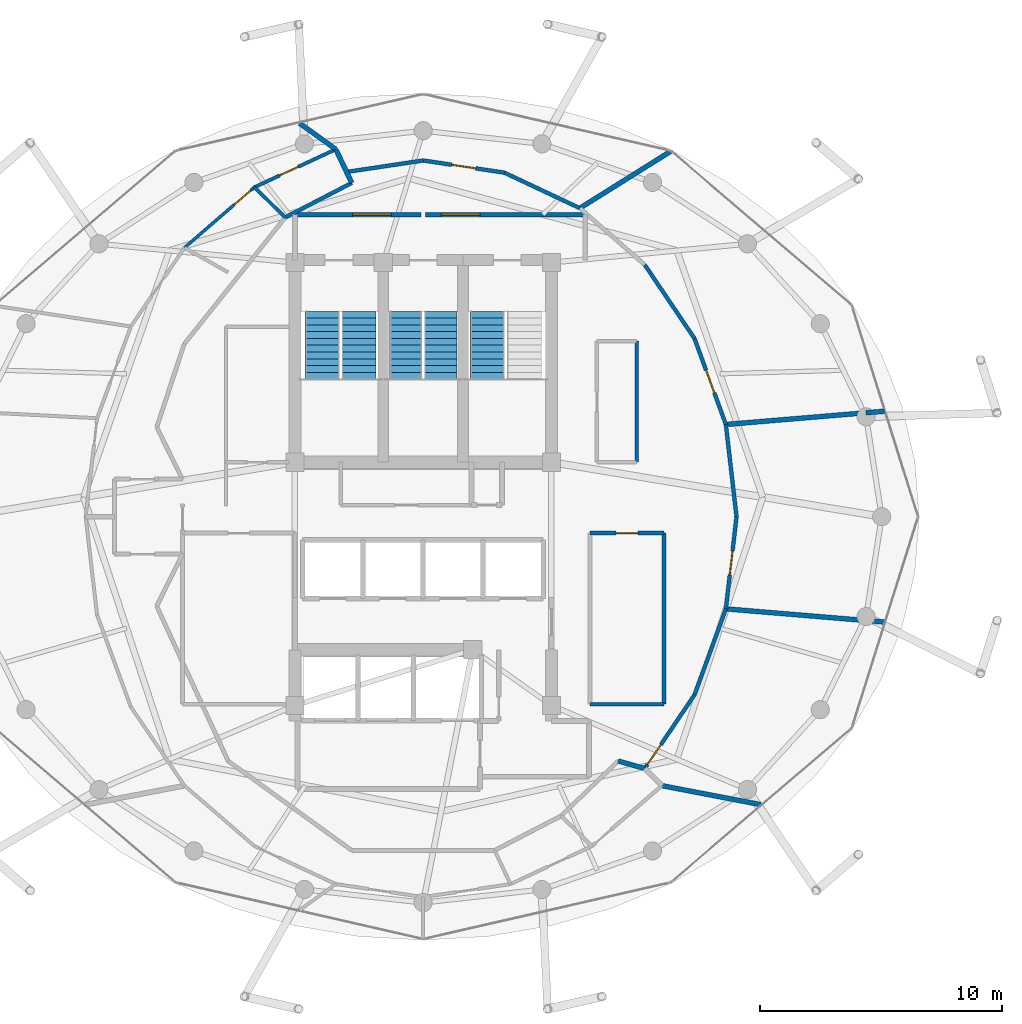
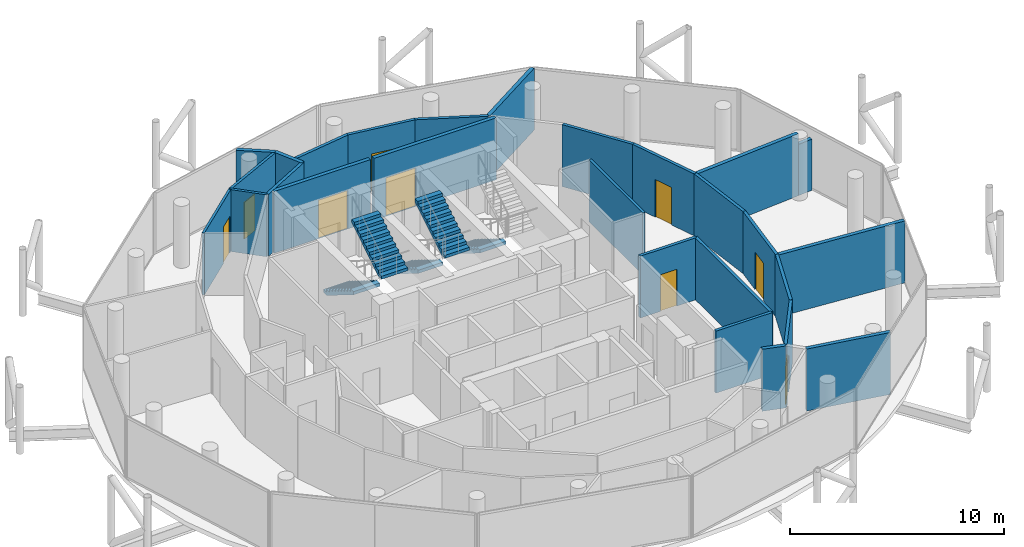
# One storey, part 22 of 24: 27 walls, 9 doors, 5 stair flights, 9 openings, 3 elements without a shape of their own.
"""IFC4 building model written with IfcOpenShell, lengths in metres."""

import ifcopenshell
import ifcopenshell.guid

model = None  # the IFC model being written
_history = None  # IfcOwnerHistory: only IFC2X3 demands one
_inside = {}  # id of a spatial element -> (the spatial element, [elements in it])
_under = {}  # id of a project, library or spatial element -> (it, [spatial elements below it])
_declared = {}  # id of a project -> (the project, [libraries it declares])
_typed = {}  # id of a type object -> (the type object, [elements of that type])
_made_of = {}  # id of a material, layer set ... -> (it, [elements and type objects made of it])


def new_model(schema):
    """Start an empty IFC model of exactly this schema.

    Asked for "IFC4X3", IfcOpenShell would pick the latest addendum, in which some entities
    have other attributes; the version numbers below select the first issue.
    IFC2X3 requires an IfcOwnerHistory on every rooted entity: one is made here for all.
    """
    global model, _history
    if schema == "IFC4X3":
        model = ifcopenshell.file(schema_version=(4, 3, 0, 0))
    else:
        model = ifcopenshell.file(schema=schema)
    _inside.clear()
    _under.clear()
    _declared.clear()
    _typed.clear()
    _made_of.clear()
    _history = None
    if model.schema == "IFC2X3":
        org = make("IfcOrganization", Name="unknown")
        user = make(
            "IfcPersonAndOrganization",
            ThePerson=make("IfcPerson", FamilyName="unknown"),
            TheOrganization=org,
        )
        app = make(
            "IfcApplication",
            ApplicationDeveloper=org,
            Version="unknown",
            ApplicationFullName="unknown",
            ApplicationIdentifier="unknown",
        )
        _history = make(
            "IfcOwnerHistory",
            OwningUser=user,
            OwningApplication=app,
            ChangeAction="ADDED",
            CreationDate=0,
        )
    return model


def make(cls, **values):
    """One entity of the class cls with the attributes given. An attribute that is None is left unset."""
    return model.create_entity(
        cls, **{name: value for name, value in values.items() if value is not None}
    )


def rooted(cls, **values):
    """An entity with a GlobalId (a new one), such as an element, a storey or a relation."""
    return make(cls, GlobalId=ifcopenshell.guid.new(), OwnerHistory=_history, **values)


def si_unit(unit_type, name, prefix=None):
    """IfcSIUnit, for example si_unit("LENGTHUNIT", "METRE", prefix="MILLI")."""
    return make("IfcSIUnit", UnitType=unit_type, Prefix=prefix, Name=name)


def assignment(units):
    """IfcUnitAssignment: the units of a project."""
    return None if units is None else make("IfcUnitAssignment", Units=units)


def point(xyz):
    """IfcCartesianPoint."""
    return None if xyz is None else make("IfcCartesianPoint", Coordinates=xyz)


def direction(xyz):
    """IfcDirection."""
    return None if xyz is None else make("IfcDirection", DirectionRatios=xyz)


def frame(location, z_axis=None, x_axis=None):
    """IfcAxis2Placement3D, a coordinate frame: its origin and axes. An axis left out is left unset."""
    return make(
        "IfcAxis2Placement3D",
        Location=point(location),
        Axis=direction(z_axis),
        RefDirection=direction(x_axis),
    )


def frame_2d(location, x_axis=None):
    """IfcAxis2Placement2D, a coordinate frame in the plane: its origin and x axis."""
    return make(
        "IfcAxis2Placement2D", Location=point(location), RefDirection=direction(x_axis)
    )


def origin():
    """The frame at (0, 0, 0) with its axes left unset."""
    return frame((0.0, 0.0, 0.0))


def place(relative_to, where):
    """IfcLocalPlacement: puts the frame where relative to a parent placement (None: the world)."""
    return make(
        "IfcLocalPlacement", PlacementRelTo=relative_to, RelativePlacement=where
    )


def context(
    kind, dimensions, precision=None, world=None, true_north=None, identifier=None
):
    """IfcGeometricRepresentationContext, for example the 3D "Model" context."""
    return make(
        "IfcGeometricRepresentationContext",
        ContextIdentifier=identifier,
        ContextType=kind,
        CoordinateSpaceDimension=dimensions,
        Precision=precision,
        WorldCoordinateSystem=world,
        TrueNorth=true_north,
    )


def subcontext(parent, identifier, kind, view, scale=None):
    """IfcGeometricRepresentationSubContext, for example "Body" below "Model"."""
    return make(
        "IfcGeometricRepresentationSubContext",
        ContextIdentifier=identifier,
        ContextType=kind,
        ParentContext=parent,
        TargetScale=scale,
        TargetView=view,
    )


def project(units=None, contexts=None):
    """IfcProject with its units and contexts."""
    return rooted(
        "IfcProject",
        Name="project",
        RepresentationContexts=contexts,
        UnitsInContext=assignment(units),
    )


def spatial(cls, under=None, at=None, **own):
    """A site, building, storey or space (cls), placed at a placement, below another one or the project."""
    s = rooted(cls, ObjectPlacement=at, **own)
    if under is not None:
        _under.setdefault(under.id(), (under, []))[1].append(s)
    return s


def polyline(points):
    """IfcPolyline through the points."""
    return make("IfcPolyline", Points=[point(p) for p in points])


def profile(cls, at=None, kind="AREA", **sizes):
    """A parametric profile (cls). Its sizes go by their IFC names, for example OverallWidth=200.0."""
    return make(cls, ProfileType=kind, Position=at, **sizes)


def rectangle(**sizes):
    """IfcRectangleProfileDef."""
    return profile("IfcRectangleProfileDef", **sizes)


def outline(outer, holes=None, kind="AREA"):
    """IfcArbitraryClosedProfileDef: a profile drawn as a closed curve; with holes, ...WithVoids."""
    if holes is None:
        return make("IfcArbitraryClosedProfileDef", ProfileType=kind, OuterCurve=outer)
    return make(
        "IfcArbitraryProfileDefWithVoids",
        ProfileType=kind,
        OuterCurve=outer,
        InnerCurves=holes,
    )


def extrude(swept, where, along, depth):
    """IfcExtrudedAreaSolid: the profile swept, set in the frame where, extruded along a direction by depth."""
    return make(
        "IfcExtrudedAreaSolid",
        SweptArea=swept,
        Position=where,
        ExtrudedDirection=direction(along),
        Depth=depth,
    )


def shape(context_of_items, identifier, shape_type, items):
    """IfcShapeRepresentation: the items that make up one representation, for example the "Body"."""
    return make(
        "IfcShapeRepresentation",
        ContextOfItems=context_of_items,
        RepresentationIdentifier=identifier,
        RepresentationType=shape_type,
        Items=items,
    )


def material(Name=None, Category=None):
    """IfcMaterial."""
    return make("IfcMaterial", Name=Name, Category=Category)


def layer(
    of_material, thickness, ventilated=None, Name=None, Category=None, Priority=None
):
    """IfcMaterialLayer: one layer of a wall or slab, of a material (None: an air gap)."""
    return make(
        "IfcMaterialLayer",
        Material=of_material,
        LayerThickness=thickness,
        IsVentilated=ventilated,
        Name=Name,
        Category=Category,
        Priority=Priority,
    )


def layer_set(layers, Name=None):
    """IfcMaterialLayerSet."""
    return make("IfcMaterialLayerSet", MaterialLayers=layers, LayerSetName=Name)


def made_of(thing, what):
    """Note that an element or type object is made of a material, layer set ...; save() writes the relation."""
    if what is not None:
        _made_of.setdefault(what.id(), (what, []))[1].append(thing)
    return thing


def type_object(cls, material=None, **own):
    """A type object (cls), such as IfcWallType, which elements share."""
    return made_of(rooted(cls, **own), material)


def element(
    cls,
    number,
    at=None,
    inside=None,
    cuts=None,
    type_object=None,
    material=None,
    context=None,
    identifier="Body",
    shape_type=None,
    held_by="IfcProductDefinitionShape",
    body=None,
    shapes=None,
    **own,
):
    """One element of the class cls, such as IfcWall. Its Tag is "e" and its number.

    at: its placement. inside: the storey or other place that contains it. cuts: it is an
    opening in that element (IfcRelVoidsElement). A single representation is given by context,
    identifier, shape_type and body (its items); several are given by shapes. held_by: the class
    of the entity that holds the representations. save() writes the other relations.
    """
    e = rooted(cls, Tag="e%d" % number, ObjectPlacement=at, **own)
    if body is not None:
        shapes = [shape(context, identifier, shape_type, body)]
    if shapes is not None:
        e.Representation = make(held_by, Representations=shapes)
    if inside is not None:
        _inside.setdefault(inside.id(), (inside, []))[1].append(e)
    if cuts is not None:
        rooted(
            "IfcRelVoidsElement", RelatingBuildingElement=cuts, RelatedOpeningElement=e
        )
    if type_object is not None:
        _typed.setdefault(type_object.id(), (type_object, []))[1].append(e)
    return made_of(e, material)


def fill(opening, filler):
    """IfcRelFillsElement: the door or window that sits in an opening."""
    return rooted(
        "IfcRelFillsElement",
        RelatingOpeningElement=opening,
        RelatedBuildingElement=filler,
    )


def aggregate(whole, parts):
    """IfcRelAggregates: a whole, such as a stair, and the parts it consists of."""
    return rooted("IfcRelAggregates", RelatingObject=whole, RelatedObjects=parts)


def save(model, path):
    """Write the relations noted so far, then the file.

    IfcRelAggregates (storeys below a building ...), IfcRelContainedInSpatialStructure (elements
    in a storey), IfcRelDefinesByType, IfcRelAssociatesMaterial and IfcRelDeclares: one each for
    every whole, place, type object, material and project.
    """
    for whole, parts in _under.values():
        aggregate(whole, parts)
    for where, things in _inside.values():
        rooted(
            "IfcRelContainedInSpatialStructure",
            RelatedElements=things,
            RelatingStructure=where,
        )
    for kind, things in _typed.values():
        rooted("IfcRelDefinesByType", RelatedObjects=things, RelatingType=kind)
    for what, things in _made_of.values():
        rooted("IfcRelAssociatesMaterial", RelatedObjects=things, RelatingMaterial=what)
    for by, libraries in _declared.values():
        rooted("IfcRelDeclares", RelatingContext=by, RelatedDefinitions=libraries)
    model.write(path)


model = new_model("IFC4")

# Units and contexts
model_context = context("Model", 3, precision=1e-05, world=origin(), true_north=direction((0.0, 1.0)))
body_context = subcontext(model_context, "Body", "Model", "MODEL_VIEW")
ifc_project = project(units=[si_unit("LENGTHUNIT", "METRE"), si_unit("AREAUNIT", "SQUARE_METRE"), si_unit("VOLUMEUNIT", "CUBIC_METRE"), si_unit("PLANEANGLEUNIT", "RADIAN"), si_unit("MASSUNIT", "GRAM", prefix="KILO")], contexts=[model_context])

# Site, building, storey
site_placement = place(None, origin())
site = spatial("IfcSite", under=ifc_project, at=site_placement, CompositionType="ELEMENT")
building_placement = place(site_placement, origin())
building = spatial("IfcBuilding", under=site, at=building_placement, Name="Nuhasar Tower", CompositionType="ELEMENT")
storey_placement = place(building_placement, frame((0.0, 0.0, 278.39990234375)))
storey = spatial("IfcBuildingStorey", under=building, at=storey_placement, Name="L69", CompositionType="ELEMENT", Elevation=278.39990234375)

# Walls
ifc_material_1 = material(Name="Gypsum Board", Category="gypsum")
ifc_layer_1 = layer(ifc_material_1, 0.159912109375)
ifc_layer_set_1 = layer_set([ifc_layer_1], Name="Gypsum Board")
wall_type_1 = type_object("IfcWallType", Name="WL-CORR-160", PredefinedType="PARTITIONING", material=ifc_layer_set_1)
wall_1_placement = place(storey_placement, frame((45.89990234375, 19.050048828125, 0.0), z_axis=(0.0, 0.0, 1.0), x_axis=(1.0, 0.0, 0.0)))
element("IfcWall", 1, at=wall_1_placement, inside=storey, type_object=wall_type_1, Name="L69 Interior Partition RECL-B2-S", PredefinedType="PARTITIONING", context=body_context, shape_type="SweptSolid", body=[
    extrude(rectangle(XDim=3.050048828125, YDim=0.159912109375, at=frame_2d((1.52490234375, 0.0))), origin(), (0.0, 0.0, 1.0), 3.5400390625),
])
wall_2_placement = place(storey_placement, frame((48.949951171875, 19.050048828125, 0.0), z_axis=(0.0, 0.0, 1.0), x_axis=(0.0, 1.0, 0.0)))
element("IfcWall", 2, at=wall_2_placement, inside=storey, type_object=wall_type_1, Name="L69 Interior Partition RECL-B2-E", PredefinedType="PARTITIONING", context=body_context, shape_type="SweptSolid", body=[
    extrude(rectangle(XDim=7.070068359375, YDim=0.159912109375, at=frame_2d((3.53515625, 0.0))), origin(), (0.0, 0.0, 1.0), 3.5400390625),
])

# Wall, opening, door
wall_3_placement = place(storey_placement, frame((48.949951171875, 26.1201171875, 0.0), z_axis=(0.0, 0.0, 1.0), x_axis=(-1.0, 0.0, 0.0)))
wall_3 = element("IfcWall", 3, at=wall_3_placement, inside=storey, type_object=wall_type_1, Name="L69 Interior Partition RECL-B2-N", PredefinedType="PARTITIONING", context=body_context, shape_type="SweptSolid", body=[
    extrude(rectangle(XDim=3.050048828125, YDim=0.159912109375, at=frame_2d((1.52490234375, 0.0))), origin(), (0.0, 0.0, 1.0), 3.5400390625),
])
opening_1_placement = place(wall_3_placement, frame((1.074951171875, 0.0, 0.0)))
opening_1 = element("IfcOpeningElement", 4, at=opening_1_placement, cuts=wall_3, Name="Opening DR-01", PredefinedType="OPENING", context=body_context, shape_type="SweptSolid", body=[
    extrude(rectangle(XDim=0.89990234375, YDim=2.10009765625, at=frame_2d((0.449951171875, 1.050048828125))), frame((0.0, 0.08984375, 0.0), z_axis=(0.0, -1.0, 0.0), x_axis=(1.0, 0.0, 0.0)), (0.0, 0.0, 1.0), 0.179931640625),
])
ifc_material_2 = material(Name="Timber Oak", Category="wood")
door_type_1 = type_object("IfcDoorType", Name="DR-ROOM-900", OperationType="NOTDEFINED", PredefinedType="DOOR", material=ifc_material_2)
door_1_placement = place(opening_1_placement, origin())
door_1 = element("IfcDoor", 5, at=door_1_placement, inside=storey, type_object=door_type_1, Name="L69 Resident Library Door", OperationType="SINGLE_SWING_LEFT", OverallHeight=2.10009765625, OverallWidth=0.89990234375, PredefinedType="DOOR", context=body_context, shape_type="SweptSolid", body=[
    extrude(rectangle(XDim=0.89990234375, YDim=2.10009765625, at=frame_2d((0.449951171875, 1.050048828125))), frame((0.0, 0.02490234375, 0.0), z_axis=(0.0, -1.0, 0.0), x_axis=(1.0, 0.0, 0.0)), (0.0, 0.0, 1.0), 0.050048828125),
])
fill(opening_1, door_1)

wall_4_placement = place(storey_placement, frame((50.215087890625, 19.43994140625, 0.0), z_axis=(0.0, 0.0, 1.0), x_axis=(-0.559500212071, -0.828830207396, 0.0)))
wall_4 = element("IfcWall", 6, at=wall_4_placement, inside=storey, type_object=wall_type_1, Name="L69 Interior Partition CORR-42", PredefinedType="PARTITIONING", context=body_context, shape_type="SweptSolid", body=[
    extrude(rectangle(XDim=3.678466796875, YDim=0.159912109375, at=frame_2d((1.83935546875, 0.0))), origin(), (0.0, 0.0, 1.0), 3.5400390625),
])
opening_2_placement = place(wall_4_placement, frame((2.47900390625, 0.0, 0.0)))
opening_2 = element("IfcOpeningElement", 7, at=opening_2_placement, cuts=wall_4, Name="Opening DU-02", PredefinedType="OPENING", context=body_context, shape_type="SweptSolid", body=[
    extrude(rectangle(XDim=1.0, YDim=2.14990234375, at=frame_2d((0.5, 1.074951171875))), frame((0.0, 0.08984375, 0.0), z_axis=(0.0, -1.0, 0.0), x_axis=(1.0, 0.0, 0.0)), (0.0, 0.0, 1.0), 0.179931640625),
])
door_type_2 = type_object("IfcDoorType", Name="DR-FLAT-FD60-1000", OperationType="NOTDEFINED", PredefinedType="DOOR", material=ifc_material_2)
door_2_placement = place(opening_2_placement, origin())
door_2 = element("IfcDoor", 8, at=door_2_placement, inside=storey, type_object=door_type_2, Name="L69 Summit Sommelier Tasting Pantry Entrance Door", OperationType="SINGLE_SWING_RIGHT", OverallHeight=2.14990234375, OverallWidth=1.0, PredefinedType="DOOR", context=body_context, shape_type="SweptSolid", body=[
    extrude(rectangle(XDim=1.0, YDim=2.14990234375, at=frame_2d((0.5, 1.074951171875))), frame((0.0, 0.02490234375, 0.0), z_axis=(0.0, -1.0, 0.0), x_axis=(1.0, 0.0, 0.0)), (0.0, 0.0, 1.0), 0.050048828125),
])
fill(opening_2, door_2)

# Wall
wall_5_placement = place(storey_placement, frame((50.215087890625, 19.43994140625, 0.0), z_axis=(0.0, 0.0, 1.0), x_axis=(0.342448521092, 0.939536593434, 0.0)))
element("IfcWall", 9, at=wall_5_placement, inside=storey, type_object=wall_type_1, Name="L69 Interior Partition CORR-44", PredefinedType="PARTITIONING", context=body_context, shape_type="SweptSolid", body=[
    extrude(rectangle(XDim=3.778564453125, YDim=0.159912109375, at=frame_2d((1.88916015625, 0.0))), origin(), (0.0, 0.0, 1.0), 3.5400390625),
])

# Wall, opening, door
wall_6_placement = place(storey_placement, frame((51.949951171875, 26.800048828125, 0.0), z_axis=(0.0, 0.0, 1.0), x_axis=(-0.114957513723, -0.993370409283, 0.0)))
wall_6 = element("IfcWall", 10, at=wall_6_placement, inside=storey, type_object=wall_type_1, Name="L69 Interior Partition CORR-46", PredefinedType="PARTITIONING", context=body_context, shape_type="SweptSolid", body=[
    extrude(rectangle(XDim=3.83544921875, YDim=0.159912109375, at=frame_2d((1.917724609375, 0.0))), origin(), (0.0, 0.0, 1.0), 3.5400390625),
])
opening_3_placement = place(wall_6_placement, frame((1.41796875, 0.0, 0.0)))
opening_3 = element("IfcOpeningElement", 11, at=opening_3_placement, cuts=wall_6, Name="Opening DU-02", PredefinedType="OPENING", context=body_context, shape_type="SweptSolid", body=[
    extrude(rectangle(XDim=1.0, YDim=2.14990234375, at=frame_2d((0.5, 1.074951171875))), frame((0.0, 0.08984375, 0.0), z_axis=(0.0, -1.0, 0.0), x_axis=(1.0, 0.0, 0.0)), (0.0, 0.0, 1.0), 0.179931640625),
])
door_3_placement = place(opening_3_placement, origin())
door_3 = element("IfcDoor", 12, at=door_3_placement, inside=storey, type_object=door_type_2, Name="L69 Summit Private Chef Pantry Entrance Door", OperationType="SINGLE_SWING_RIGHT", OverallHeight=2.14990234375, OverallWidth=1.0, PredefinedType="DOOR", context=body_context, shape_type="SweptSolid", body=[
    extrude(rectangle(XDim=1.0, YDim=2.14990234375, at=frame_2d((0.5, 1.074951171875))), frame((0.0, 0.02490234375, 0.0), z_axis=(0.0, -1.0, 0.0), x_axis=(1.0, 0.0, 0.0)), (0.0, 0.0, 1.0), 0.050048828125),
])
fill(opening_3, door_3)

# Wall
wall_7_placement = place(storey_placement, frame((51.949951171875, 26.800048828125, 0.0), z_axis=(0.0, 0.0, 1.0), x_axis=(-0.114957513723, 0.993370409283, 0.0)))
element("IfcWall", 13, at=wall_7_placement, inside=storey, type_object=wall_type_1, Name="L69 Interior Partition CORR-00", PredefinedType="PARTITIONING", context=body_context, shape_type="SweptSolid", body=[
    extrude(rectangle(XDim=3.83544921875, YDim=0.159912109375, at=frame_2d((1.917724609375, 0.0))), origin(), (0.0, 0.0, 1.0), 3.5400390625),
])

# Wall, opening, door
wall_8_placement = place(storey_placement, frame((50.215087890625, 34.159912109375, 0.0), z_axis=(0.0, 0.0, 1.0), x_axis=(0.342469311022, -0.939529015522, 0.0)))
wall_8 = element("IfcWall", 14, at=wall_8_placement, inside=storey, type_object=wall_type_1, Name="L69 Interior Partition CORR-02", PredefinedType="PARTITIONING", context=body_context, shape_type="SweptSolid", body=[
    extrude(rectangle(XDim=3.7783203125, YDim=0.159912109375, at=frame_2d((1.88916015625, 0.0))), origin(), (0.0, 0.0, 1.0), 3.5400390625),
])
opening_4_placement = place(wall_8_placement, frame((1.388916015625, 0.0, 0.0)))
opening_4 = element("IfcOpeningElement", 15, at=opening_4_placement, cuts=wall_8, Name="Opening DU-02", PredefinedType="OPENING", context=body_context, shape_type="SweptSolid", body=[
    extrude(rectangle(XDim=1.0, YDim=2.14990234375, at=frame_2d((0.5, 1.074951171875))), frame((0.0, 0.08984375, 0.0), z_axis=(0.0, -1.0, 0.0), x_axis=(1.0, 0.0, 0.0)), (0.0, 0.0, 1.0), 0.179931640625),
])
door_4_placement = place(opening_4_placement, origin())
door_4 = element("IfcDoor", 16, at=door_4_placement, inside=storey, type_object=door_type_2, Name="L69 Summit Music Recital Room Entrance Door", OperationType="SINGLE_SWING_RIGHT", OverallHeight=2.14990234375, OverallWidth=1.0, PredefinedType="DOOR", context=body_context, shape_type="SweptSolid", body=[
    extrude(rectangle(XDim=1.0, YDim=2.14990234375, at=frame_2d((0.5, 1.074951171875))), frame((0.0, 0.02490234375, 0.0), z_axis=(0.0, -1.0, 0.0), x_axis=(1.0, 0.0, 0.0)), (0.0, 0.0, 1.0), 0.050048828125),
])
fill(opening_4, door_4)

# Walls
wall_9_placement = place(storey_placement, frame((50.215087890625, 34.159912109375, 0.0), z_axis=(0.0, 0.0, 1.0), x_axis=(-0.559469435513, 0.82885098222, 0.0)))
element("IfcWall", 17, at=wall_9_placement, inside=storey, type_object=wall_type_1, Name="L69 Interior Partition CORR-04", PredefinedType="PARTITIONING", context=body_context, shape_type="SweptSolid", body=[
    extrude(rectangle(XDim=3.6787109375, YDim=0.159912109375, at=frame_2d((1.83935546875, 0.0))), origin(), (0.0, 0.0, 1.0), 3.5400390625),
])
wall_10_placement = place(storey_placement, frame((45.47509765625, 39.548095703125, 0.0), z_axis=(0.0, 0.0, 1.0), x_axis=(-0.904785037248, 0.425868567016, 0.0)))
element("IfcWall", 18, at=wall_10_placement, inside=storey, type_object=wall_type_1, Name="L69 Interior Partition CORR-08", PredefinedType="PARTITIONING", context=body_context, shape_type="SweptSolid", body=[
    extrude(rectangle(XDim=3.45166015625, YDim=0.159912109375, at=frame_2d((1.725830078125, 0.0))), origin(), (0.0, 0.0, 1.0), 3.5400390625),
])

# Wall, opening, door
wall_11_placement = place(storey_placement, frame((39.0, 41.52001953125, 0.0), z_axis=(0.0, 0.0, 1.0), x_axis=(0.988973305804, -0.148093890512, 0.0)))
wall_11 = element("IfcWall", 19, at=wall_11_placement, inside=storey, type_object=wall_type_1, Name="L69 Interior Partition CORR-10", PredefinedType="PARTITIONING", context=body_context, shape_type="SweptSolid", body=[
    extrude(rectangle(XDim=3.389404296875, YDim=0.159912109375, at=frame_2d((1.69482421875, 0.0))), origin(), (0.0, 0.0, 1.0), 3.5400390625),
])
opening_5_placement = place(wall_11_placement, frame((1.195068359375, 0.0, 0.0)))
opening_5 = element("IfcOpeningElement", 20, at=opening_5_placement, cuts=wall_11, Name="Opening DU-02", PredefinedType="OPENING", context=body_context, shape_type="SweptSolid", body=[
    extrude(rectangle(XDim=1.0, YDim=2.14990234375, at=frame_2d((0.5, 1.074951171875))), frame((0.0, 0.08984375, 0.0), z_axis=(0.0, -1.0, 0.0), x_axis=(1.0, 0.0, 0.0)), (0.0, 0.0, 1.0), 0.179931640625),
])
door_5_placement = place(opening_5_placement, origin())
door_5 = element("IfcDoor", 21, at=door_5_placement, inside=storey, type_object=door_type_2, Name="L69 Summit Private Cinema Room Entrance Door", OperationType="SINGLE_SWING_RIGHT", OverallHeight=2.14990234375, OverallWidth=1.0, PredefinedType="DOOR", context=body_context, shape_type="SweptSolid", body=[
    extrude(rectangle(XDim=1.0, YDim=2.14990234375, at=frame_2d((0.5, 1.074951171875))), frame((0.0, 0.02490234375, 0.0), z_axis=(0.0, -1.0, 0.0), x_axis=(1.0, 0.0, 0.0)), (0.0, 0.0, 1.0), 0.050048828125),
])
fill(opening_5, door_5)

# Walls
wall_12_placement = place(storey_placement, frame((39.0, 41.52001953125, 0.0), z_axis=(0.0, 0.0, 1.0), x_axis=(-0.988972124558, -0.148101778678, 0.0)))
element("IfcWall", 22, at=wall_12_placement, inside=storey, type_object=wall_type_1, Name="L69 Interior Partition CORR-12", PredefinedType="PARTITIONING", context=body_context, shape_type="SweptSolid", body=[
    extrude(rectangle(XDim=3.201416015625, YDim=0.159912109375, at=frame_2d((1.6005859375, 0.0))), origin(), (0.0, 0.0, 1.0), 3.5400390625),
])
wall_13_placement = place(storey_placement, frame((36.049072265625, 40.593017578125, 0.0), z_axis=(0.0, 0.0, 1.0), x_axis=(-0.887674575788, -0.460471331898, 0.0)))
element("IfcWall", 23, at=wall_13_placement, inside=storey, type_object=wall_type_1, Name="L69 Interior Partition UWEST-CORE-N1-14", PredefinedType="PARTITIONING", context=body_context, shape_type="SweptSolid", body=[
    extrude(rectangle(XDim=3.096923828125, YDim=0.159912109375, at=frame_2d((1.54833984375, 0.0))), origin(), (0.0, 0.0, 1.0), 3.5400390625),
])

# Wall, opening, door
ifc_material_3 = material(Name="Concrete C45/55", Category="concrete")
ifc_layer_2 = layer(ifc_material_3, 0.199951171875)
ifc_layer_set_2 = layer_set([ifc_layer_2], Name="Concrete C45/55")
wall_type_2 = type_object("IfcWallType", Name="WL-LOBBY-200", PredefinedType="SOLIDWALL", material=ifc_layer_set_2)
wall_14_placement = place(storey_placement, frame((38.89990234375, 39.280029296875, 0.0), z_axis=(0.0, 0.0, 1.0), x_axis=(-1.0, 0.0, 0.0)))
wall_14 = element("IfcWall", 24, at=wall_14_placement, inside=storey, type_object=wall_type_2, Name="L69 Interior Partition NSL-N1", PredefinedType="SOLIDWALL", context=body_context, shape_type="SweptSolid", body=[
    extrude(rectangle(XDim=5.199951171875, YDim=0.199951171875, at=frame_2d((2.60009765625, 0.0))), origin(), (0.0, 0.0, 1.0), 3.5400390625),
])
opening_6_placement = place(wall_14_placement, frame((1.216064453125, 0.0, 0.0)))
opening_6 = element("IfcOpeningElement", 25, at=opening_6_placement, cuts=wall_14, Name="Opening DC-01", PredefinedType="OPENING", context=body_context, shape_type="SweptSolid", body=[
    extrude(rectangle(XDim=1.60009765625, YDim=2.199951171875, at=frame_2d((0.800048828125, 1.10009765625))), frame((0.0, 0.10986328125, 0.0), z_axis=(0.0, -1.0, 0.0), x_axis=(1.0, 0.0, 0.0)), (0.0, 0.0, 1.0), 0.219970703125),
])
ifc_material_4 = material(Name="Steel S355", Category="steel")
door_type_3 = type_object("IfcDoorType", Name="DR-CORR-FD60-1600", OperationType="DOUBLE_DOOR_SINGLE_SWING", PredefinedType="DOOR", material=ifc_material_4)
door_6_placement = place(opening_6_placement, origin())
door_6 = element("IfcDoor", 26, at=door_6_placement, inside=storey, type_object=door_type_3, Name="L69 North Stair Lobby West Door", OperationType="DOUBLE_DOOR_SINGLE_SWING", OverallHeight=2.199951171875, OverallWidth=1.60009765625, PredefinedType="DOOR", context=body_context, shape_type="SweptSolid", body=[
    extrude(rectangle(XDim=1.60009765625, YDim=2.199951171875, at=frame_2d((0.800048828125, 1.10009765625))), frame((0.0, 0.02490234375, 0.0), z_axis=(0.0, -1.0, 0.0), x_axis=(1.0, 0.0, 0.0)), (0.0, 0.0, 1.0), 0.050048828125),
])
fill(opening_6, door_6)

wall_15_placement = place(storey_placement, frame((45.699951171875, 39.280029296875, 0.0), z_axis=(0.0, 0.0, 1.0), x_axis=(-1.0, 0.0, 0.0)))
wall_15 = element("IfcWall", 27, at=wall_15_placement, inside=storey, type_object=wall_type_2, Name="L69 Interior Partition NSL-N2", PredefinedType="SOLIDWALL", context=body_context, shape_type="SweptSolid", body=[
    extrude(rectangle(XDim=6.599853515625, YDim=0.199951171875, at=frame_2d((3.2998046875, 0.0))), origin(), (0.0, 0.0, 1.0), 3.5400390625),
])
opening_7_placement = place(wall_15_placement, frame((4.35009765625, 0.0, 0.0)))
opening_7 = element("IfcOpeningElement", 28, at=opening_7_placement, cuts=wall_15, Name="Opening DC-01", PredefinedType="OPENING", context=body_context, shape_type="SweptSolid", body=[
    extrude(rectangle(XDim=1.60009765625, YDim=2.199951171875, at=frame_2d((0.800048828125, 1.10009765625))), frame((0.0, 0.10986328125, 0.0), z_axis=(0.0, -1.0, 0.0), x_axis=(1.0, 0.0, 0.0)), (0.0, 0.0, 1.0), 0.219970703125),
])
door_7_placement = place(opening_7_placement, origin())
door_7 = element("IfcDoor", 29, at=door_7_placement, inside=storey, type_object=door_type_3, Name="L69 North Stair Lobby East Door", OperationType="DOUBLE_DOOR_SINGLE_SWING", OverallHeight=2.199951171875, OverallWidth=1.60009765625, PredefinedType="DOOR", context=body_context, shape_type="SweptSolid", body=[
    extrude(rectangle(XDim=1.60009765625, YDim=2.199951171875, at=frame_2d((0.800048828125, 1.10009765625))), frame((0.0, 0.02490234375, 0.0), z_axis=(0.0, -1.0, 0.0), x_axis=(1.0, 0.0, 0.0)), (0.0, 0.0, 1.0), 0.050048828125),
])
fill(opening_7, door_7)

ifc_layer_3 = layer(ifc_material_1, 0.125)
ifc_layer_set_3 = layer_set([ifc_layer_3], Name="Gypsum Board")
wall_type_3 = type_object("IfcWallType", Name="WL-PART-125", PredefinedType="PARTITIONING", material=ifc_layer_set_3)
wall_16_placement = place(storey_placement, frame((29.135986328125, 37.916015625, 0.0), z_axis=(0.0, 0.0, 1.0), x_axis=(0.756424716633, 0.654080765706, 0.0)))
wall_16 = element("IfcWall", 30, at=wall_16_placement, inside=storey, type_object=wall_type_3, Name="L69 Interior Partition USM-1-K-16", PredefinedType="PARTITIONING", context=body_context, shape_type="SweptSolid", body=[
    extrude(rectangle(XDim=3.819091796875, YDim=0.125, at=frame_2d((1.90966796875, 0.0))), origin(), (0.0, 0.0, 1.0), 3.5400390625),
])
opening_8_placement = place(wall_16_placement, frame((2.718994140625, 0.0, 0.0)))
opening_8 = element("IfcOpeningElement", 31, at=opening_8_placement, cuts=wall_16, Name="Opening DR-01", PredefinedType="OPENING", context=body_context, shape_type="SweptSolid", body=[
    extrude(rectangle(XDim=0.89990234375, YDim=2.10009765625, at=frame_2d((0.449951171875, 1.050048828125))), frame((0.0, 0.072509765625, 0.0), z_axis=(0.0, -1.0, 0.0), x_axis=(1.0, 0.0, 0.0)), (0.0, 0.0, 1.0), 0.14501953125),
])
door_8_placement = place(opening_8_placement, origin())
door_8 = element("IfcDoor", 32, at=door_8_placement, inside=storey, type_object=door_type_1, Name="L69 North-West Sky Home Kitchen Door", OperationType="SINGLE_SWING_RIGHT", OverallHeight=2.10009765625, OverallWidth=0.89990234375, PredefinedType="DOOR", context=body_context, shape_type="SweptSolid", body=[
    extrude(rectangle(XDim=0.89990234375, YDim=2.10009765625, at=frame_2d((0.449951171875, 1.050048828125))), frame((0.0, 0.02490234375, 0.0), z_axis=(0.0, -1.0, 0.0), x_axis=(1.0, 0.0, 0.0)), (0.0, 0.0, 1.0), 0.050048828125),
])
fill(opening_8, door_8)

# Walls
ifc_material_5 = material(Name="Concrete C40/50 precast", Category="concrete")
ifc_layer_4 = layer(ifc_material_5, 0.199951171875)
ifc_layer_set_4 = layer_set([ifc_layer_4], Name="Concrete C40/50 precast")
wall_type_4 = type_object("IfcWallType", Name="WL-UNIT-200", PredefinedType="PARTITIONING", material=ifc_layer_set_4)
wall_17_placement = place(storey_placement, frame((36.049072265625, 40.593017578125, 0.0), z_axis=(0.0, 0.0, 1.0), x_axis=(-0.428788325004, 0.903404987998, 0.0)))
element("IfcWall", 33, at=wall_17_placement, inside=storey, type_object=wall_type_4, Name="L69 Interior Partition URAD-14-NW-S1", PredefinedType="PARTITIONING", context=body_context, shape_type="SweptSolid", body=[
    extrude(rectangle(XDim=1.53955078125, YDim=0.199951171875, at=frame_2d((0.769775390625, 0.0))), origin(), (0.0, 0.0, 1.0), 3.5400390625),
])
wall_18_placement = place(storey_placement, frame((35.388916015625, 41.98388671875, 0.0), z_axis=(0.0, 0.0, 1.0), x_axis=(-0.812072329423, 0.583556793967, 0.0)))
element("IfcWall", 34, at=wall_18_placement, inside=storey, type_object=wall_type_4, Name="L69 Interior Partition URAD-14-NW-S2", PredefinedType="PARTITIONING", context=body_context, shape_type="SweptSolid", body=[
    extrude(rectangle(XDim=1.8408203125, YDim=0.199951171875, at=frame_2d((0.92041015625, 0.0))), origin(), (0.0, 0.0, 1.0), 3.5400390625),
])
wall_19_placement = place(storey_placement, frame((47.06103515625, 16.702880859375, 0.0), z_axis=(0.0, 0.0, 1.0), x_axis=(0.961838648626, -0.273617276519, 0.0)))
element("IfcWall", 35, at=wall_19_placement, inside=storey, type_object=wall_type_4, Name="L69 Interior Partition URAD-42-SW-S1", PredefinedType="PARTITIONING", context=body_context, shape_type="SweptSolid", body=[
    extrude(rectangle(XDim=1.139404296875, YDim=0.199951171875, at=frame_2d((0.56982421875, 0.0))), origin(), (0.0, 0.0, 1.0), 3.5400390625),
])
wall_20_placement = place(storey_placement, frame((48.864013671875, 15.68408203125, 0.0), z_axis=(0.0, 0.0, 1.0), x_axis=(0.982041578383, -0.188664618643, 0.0)))
element("IfcWall", 36, at=wall_20_placement, inside=storey, type_object=wall_type_4, Name="L69 Interior Partition URAD-42-SW-S3", PredefinedType="PARTITIONING", context=body_context, shape_type="SweptSolid", body=[
    extrude(rectangle(XDim=4.16162109375, YDim=0.199951171875, at=frame_2d((2.080810546875, 0.0))), origin(), (0.0, 0.0, 1.0), 3.5400390625),
])
wall_21_placement = place(storey_placement, frame((51.509033203125, 22.989990234375, 0.0), z_axis=(0.0, 0.0, 1.0), x_axis=(0.996542682524, -0.083082380243, 0.0)))
element("IfcWall", 37, at=wall_21_placement, inside=storey, type_object=wall_type_4, Name="L69 Interior Partition URAD-46", PredefinedType="PARTITIONING", context=body_context, shape_type="SweptSolid", body=[
    extrude(rectangle(XDim=6.570556640625, YDim=0.199951171875, at=frame_2d((3.28515625, 0.0))), origin(), (0.0, 0.0, 1.0), 3.5400390625),
])
wall_22_placement = place(storey_placement, frame((51.509033203125, 30.610107421875, 0.0), z_axis=(0.0, 0.0, 1.0), x_axis=(0.996533856129, 0.083188181786, 0.0)))
element("IfcWall", 38, at=wall_22_placement, inside=storey, type_object=wall_type_4, Name="L69 Interior Partition URAD-02", PredefinedType="PARTITIONING", context=body_context, shape_type="SweptSolid", body=[
    extrude(rectangle(XDim=5.804931640625, YDim=0.199951171875, at=frame_2d((2.90234375, 0.0))), origin(), (0.0, 0.0, 1.0), 3.5400390625),
])
wall_23_placement = place(storey_placement, frame((57.2939453125, 31.093017578125, 0.0), z_axis=(0.0, 0.0, 1.0), x_axis=(0.996503847664, 0.083546882588, 0.0)))
element("IfcWall", 39, at=wall_23_placement, inside=storey, type_object=wall_type_4, Name="L69 Interior Partition URAD-02", PredefinedType="PARTITIONING", context=body_context, shape_type="SweptSolid", body=[
    extrude(rectangle(XDim=0.765625, YDim=0.199951171875, at=frame_2d((0.3828125, 0.0))), origin(), (0.0, 0.0, 1.0), 2.925048828125),
])
wall_24_placement = place(storey_placement, frame((45.47509765625, 39.548095703125, 0.0), z_axis=(0.0, 0.0, 1.0), x_axis=(0.847419415202, 0.530924038577, 0.0)))
element("IfcWall", 40, at=wall_24_placement, inside=storey, type_object=wall_type_4, Name="L69 Interior Partition URAD-08", PredefinedType="PARTITIONING", context=body_context, shape_type="SweptSolid", body=[
    extrude(rectangle(XDim=4.410888671875, YDim=0.199951171875, at=frame_2d((2.20556640625, 0.0))), origin(), (0.0, 0.0, 1.0), 3.5400390625),
])
ifc_layer_5 = layer(ifc_material_5, 0.139892578125)
ifc_layer_set_5 = layer_set([ifc_layer_5], Name="Concrete C40/50 precast")
wall_type_5 = type_object("IfcWallType", Name="WL-WET-140", PredefinedType="PARTITIONING", material=ifc_layer_set_5)
wall_25_placement = place(storey_placement, frame((47.820068359375, 29.050048828125, 0.0), z_axis=(0.0, 0.0, 1.0), x_axis=(0.0, 1.0, 0.0)))
element("IfcWall", 41, at=wall_25_placement, inside=storey, type_object=wall_type_5, Name="L69 Interior Partition K3-NE-E", PredefinedType="PARTITIONING", context=body_context, shape_type="SweptSolid", body=[
    extrude(rectangle(XDim=5.0, YDim=0.139892578125, at=frame_2d((2.5, 0.0))), origin(), (0.0, 0.0, 1.0), 3.5400390625),
])
wall_26_placement = place(storey_placement, frame((33.300048828125, 39.1669921875, 0.0), z_axis=(0.0, 0.0, 1.0), x_axis=(-0.714933679917, 0.699192272069, 0.0)))
element("IfcWall", 42, at=wall_26_placement, inside=storey, type_object=wall_type_5, Name="L69 Interior Partition USI-1-BK", PredefinedType="PARTITIONING", context=body_context, shape_type="SweptSolid", body=[
    extrude(rectangle(XDim=1.78369140625, YDim=0.139892578125, at=frame_2d((0.891845703125, 0.0))), origin(), (0.0, 0.0, 1.0), 3.5400390625),
])

# Wall, opening, door
wall_27_placement = place(storey_placement, frame((32.02490234375, 40.4140625, 0.0), z_axis=(0.0, 0.0, 1.0), x_axis=(0.906188180382, 0.422874664334, 0.0)))
wall_27 = element("IfcWall", 43, at=wall_27_placement, inside=storey, type_object=wall_type_5, Name="L69 Interior Partition USM-1-B-14", PredefinedType="PARTITIONING", context=body_context, shape_type="SweptSolid", body=[
    extrude(rectangle(XDim=3.712158203125, YDim=0.139892578125, at=frame_2d((1.85595703125, 0.0))), origin(), (0.0, 0.0, 1.0), 3.5400390625),
])
opening_9_placement = place(wall_27_placement, frame((1.154052734375, 0.0, 0.0)))
opening_9 = element("IfcOpeningElement", 44, at=opening_9_placement, cuts=wall_27, Name="Opening DB-01", PredefinedType="OPENING", context=body_context, shape_type="SweptSolid", body=[
    extrude(rectangle(XDim=0.85009765625, YDim=2.10009765625, at=frame_2d((0.425048828125, 1.050048828125))), frame((0.0, 0.080078125, 0.0), z_axis=(0.0, -1.0, 0.0), x_axis=(1.0, 0.0, 0.0)), (0.0, 0.0, 1.0), 0.159912109375),
])
door_type_4 = type_object("IfcDoorType", Name="DR-BATH-850", OperationType="NOTDEFINED", PredefinedType="DOOR", material=ifc_material_2)
door_9_placement = place(opening_9_placement, origin())
door_9 = element("IfcDoor", 45, at=door_9_placement, inside=storey, type_object=door_type_4, Name="L69 North-West Sky Home En-Suite Door", OperationType="SINGLE_SWING_LEFT", OverallHeight=2.10009765625, OverallWidth=0.85009765625, PredefinedType="DOOR", context=body_context, shape_type="SweptSolid", body=[
    extrude(rectangle(XDim=0.85009765625, YDim=2.10009765625, at=frame_2d((0.425048828125, 1.050048828125))), frame((0.0, 0.02490234375, 0.0), z_axis=(0.0, -1.0, 0.0), x_axis=(1.0, 0.0, 0.0)), (0.0, 0.0, 1.0), 0.050048828125),
])
fill(opening_9, door_9)

# Stair, stair flights
stair_type_1 = type_object("IfcStairType", Name="STR-ST-01-2F-22R-1727", PredefinedType="HALF_TURN_STAIR", material=ifc_material_3)
stair_1_placement = place(storey_placement, origin())
stair_1 = element("IfcStair", 46, at=stair_1_placement, inside=storey, type_object=stair_type_1, Name="L69 Exit Stair ST-01", PredefinedType="HALF_TURN_STAIR")
stair_flight_type_1 = type_object("IfcStairFlightType", Name="SFL-ST-01-11R-1727", PredefinedType="STRAIGHT", material=ifc_material_3)
stair_flight_1_placement = place(storey_placement, frame((34.830078125, 35.284912109375, 0.0), z_axis=(0.0, 0.0, 1.0), x_axis=(0.0, -1.0, 0.0)))
stair_flight_1 = element("IfcStairFlight", 47, at=stair_flight_1_placement, type_object=stair_flight_type_1, Name="ST-01 flight 1", NumberOfRisers=11, NumberOfTreads=10, PredefinedType="STRAIGHT", RiserHeight=0.172727, TreadLength=0.28, context=body_context, shape_type="SweptSolid", body=[
    extrude(outline(polyline([(0.0, 0.0), (0.0, 0.172607421875), (0.280029296875, 0.172607421875), (0.280029296875, 0.345458984375), (0.56005859375, 0.345458984375), (0.56005859375, 0.51806640625), (0.840087890625, 0.51806640625), (0.840087890625, 0.69091796875), (1.1201171875, 0.69091796875), (1.1201171875, 0.863525390625), (1.39990234375, 0.863525390625), (1.39990234375, 1.036376953125), (1.679931640625, 1.036376953125), (1.679931640625, 1.208984375), (1.9599609375, 1.208984375), (1.9599609375, 1.3818359375), (2.239990234375, 1.3818359375), (2.239990234375, 1.554443359375), (2.52001953125, 1.554443359375), (2.52001953125, 1.727294921875), (2.800048828125, 1.727294921875), (2.800048828125, 1.89990234375), (2.800048828125, 1.539306640625), (0.3046875, 0.0), (0.0, 0.0)])), frame((0.0, 0.7099609375, 0.0), z_axis=(0.0, -1.0, 0.0), x_axis=(1.0, 0.0, 0.0)), (0.0, 0.0, 1.0), 1.419921875),
])
stair_flight_2_placement = place(storey_placement, frame((36.35009765625, 32.485107421875, 1.900146484375), z_axis=(0.0, 0.0, 1.0), x_axis=(0.0, 1.0, 0.0)))
stair_flight_2 = element("IfcStairFlight", 48, at=stair_flight_2_placement, type_object=stair_flight_type_1, Name="ST-01 flight 2", NumberOfRisers=11, NumberOfTreads=10, PredefinedType="STRAIGHT", RiserHeight=0.172727, TreadLength=0.28, context=body_context, shape_type="SweptSolid", body=[
    extrude(outline(polyline([(0.0, 0.0), (0.0, 0.172607421875), (0.280029296875, 0.172607421875), (0.280029296875, 0.345458984375), (0.56005859375, 0.345458984375), (0.56005859375, 0.51806640625), (0.840087890625, 0.51806640625), (0.840087890625, 0.69091796875), (1.1201171875, 0.69091796875), (1.1201171875, 0.863525390625), (1.39990234375, 0.863525390625), (1.39990234375, 1.036376953125), (1.679931640625, 1.036376953125), (1.679931640625, 1.208984375), (1.9599609375, 1.208984375), (1.9599609375, 1.3818359375), (2.239990234375, 1.3818359375), (2.239990234375, 1.554443359375), (2.52001953125, 1.554443359375), (2.52001953125, 1.727294921875), (2.800048828125, 1.727294921875), (2.800048828125, 1.89990234375), (2.800048828125, 1.539306640625), (0.3046875, 0.0), (0.0, 0.0)])), frame((0.0, 0.7099609375, 0.0), z_axis=(0.0, -1.0, 0.0), x_axis=(1.0, 0.0, 0.0)), (0.0, 0.0, 1.0), 1.419921875),
])
aggregate(stair_1, [stair_flight_1, stair_flight_2])

# Stair, stair flight
stair_type_2 = type_object("IfcStairType", Name="STR-ST-02-2F-22R-1727", PredefinedType="HALF_TURN_STAIR", material=ifc_material_3)
stair_2_placement = place(storey_placement, origin())
stair_2 = element("IfcStair", 49, at=stair_2_placement, inside=storey, type_object=stair_type_2, Name="L69 Exit Stair ST-02", PredefinedType="HALF_TURN_STAIR")
stair_flight_type_2 = type_object("IfcStairFlightType", Name="SFL-ST-02-11R-1727", PredefinedType="STRAIGHT", material=ifc_material_3)
stair_flight_3_placement = place(storey_placement, frame((41.64990234375, 35.284912109375, 0.0), z_axis=(0.0, 0.0, 1.0), x_axis=(0.0, -1.0, 0.0)))
stair_flight_3 = element("IfcStairFlight", 50, at=stair_flight_3_placement, type_object=stair_flight_type_2, Name="ST-02 flight 1", NumberOfRisers=11, NumberOfTreads=10, PredefinedType="STRAIGHT", RiserHeight=0.172727, TreadLength=0.28, context=body_context, shape_type="SweptSolid", body=[
    extrude(outline(polyline([(0.0, 0.0), (0.0, 0.172607421875), (0.280029296875, 0.172607421875), (0.280029296875, 0.345458984375), (0.56005859375, 0.345458984375), (0.56005859375, 0.51806640625), (0.840087890625, 0.51806640625), (0.840087890625, 0.69091796875), (1.1201171875, 0.69091796875), (1.1201171875, 0.863525390625), (1.39990234375, 0.863525390625), (1.39990234375, 1.036376953125), (1.679931640625, 1.036376953125), (1.679931640625, 1.208984375), (1.9599609375, 1.208984375), (1.9599609375, 1.3818359375), (2.239990234375, 1.3818359375), (2.239990234375, 1.554443359375), (2.52001953125, 1.554443359375), (2.52001953125, 1.727294921875), (2.800048828125, 1.727294921875), (2.800048828125, 1.89990234375), (2.800048828125, 1.539306640625), (0.3046875, 0.0), (0.0, 0.0)])), frame((0.0, 0.7099609375, 0.0), z_axis=(0.0, -1.0, 0.0), x_axis=(1.0, 0.0, 0.0)), (0.0, 0.0, 1.0), 1.419921875),
])
aggregate(stair_2, [stair_flight_3])

# Stair, stair flights
stair_type_3 = type_object("IfcStairType", Name="STR-ST-03-2F-22R-1727", PredefinedType="HALF_TURN_STAIR", material=ifc_material_3)
stair_3_placement = place(storey_placement, origin())
stair_3 = element("IfcStair", 51, at=stair_3_placement, inside=storey, type_object=stair_type_3, Name="L69 Exit Stair ST-03", PredefinedType="HALF_TURN_STAIR")
stair_flight_type_3 = type_object("IfcStairFlightType", Name="SFL-ST-03-11R-1727", PredefinedType="STRAIGHT", material=ifc_material_3)
stair_flight_4_placement = place(storey_placement, frame((38.280029296875, 35.284912109375, 0.0), z_axis=(0.0, 0.0, 1.0), x_axis=(0.0, -1.0, 0.0)))
stair_flight_4 = element("IfcStairFlight", 52, at=stair_flight_4_placement, type_object=stair_flight_type_3, Name="ST-03 flight 1", NumberOfRisers=11, NumberOfTreads=10, PredefinedType="STRAIGHT", RiserHeight=0.172727, TreadLength=0.28, context=body_context, shape_type="SweptSolid", body=[
    extrude(outline(polyline([(0.0, 0.0), (0.0, 0.172607421875), (0.280029296875, 0.172607421875), (0.280029296875, 0.345458984375), (0.56005859375, 0.345458984375), (0.56005859375, 0.51806640625), (0.840087890625, 0.51806640625), (0.840087890625, 0.69091796875), (1.1201171875, 0.69091796875), (1.1201171875, 0.863525390625), (1.39990234375, 0.863525390625), (1.39990234375, 1.036376953125), (1.679931640625, 1.036376953125), (1.679931640625, 1.208984375), (1.9599609375, 1.208984375), (1.9599609375, 1.3818359375), (2.239990234375, 1.3818359375), (2.239990234375, 1.554443359375), (2.52001953125, 1.554443359375), (2.52001953125, 1.727294921875), (2.800048828125, 1.727294921875), (2.800048828125, 1.89990234375), (2.800048828125, 1.539306640625), (0.3046875, 0.0), (0.0, 0.0)])), frame((0.0, 0.669921875, 0.0), z_axis=(0.0, -1.0, 0.0), x_axis=(1.0, 0.0, 0.0)), (0.0, 0.0, 1.0), 1.340087890625),
])
stair_flight_5_placement = place(storey_placement, frame((39.719970703125, 32.485107421875, 1.900146484375), z_axis=(0.0, 0.0, 1.0), x_axis=(0.0, 1.0, 0.0)))
stair_flight_5 = element("IfcStairFlight", 53, at=stair_flight_5_placement, type_object=stair_flight_type_3, Name="ST-03 flight 2", NumberOfRisers=11, NumberOfTreads=10, PredefinedType="STRAIGHT", RiserHeight=0.172727, TreadLength=0.28, context=body_context, shape_type="SweptSolid", body=[
    extrude(outline(polyline([(0.0, 0.0), (0.0, 0.172607421875), (0.280029296875, 0.172607421875), (0.280029296875, 0.345458984375), (0.56005859375, 0.345458984375), (0.56005859375, 0.51806640625), (0.840087890625, 0.51806640625), (0.840087890625, 0.69091796875), (1.1201171875, 0.69091796875), (1.1201171875, 0.863525390625), (1.39990234375, 0.863525390625), (1.39990234375, 1.036376953125), (1.679931640625, 1.036376953125), (1.679931640625, 1.208984375), (1.9599609375, 1.208984375), (1.9599609375, 1.3818359375), (2.239990234375, 1.3818359375), (2.239990234375, 1.554443359375), (2.52001953125, 1.554443359375), (2.52001953125, 1.727294921875), (2.800048828125, 1.727294921875), (2.800048828125, 1.89990234375), (2.800048828125, 1.539306640625), (0.3046875, 0.0), (0.0, 0.0)])), frame((0.0, 0.669921875, 0.0), z_axis=(0.0, -1.0, 0.0), x_axis=(1.0, 0.0, 0.0)), (0.0, 0.0, 1.0), 1.340087890625),
])
aggregate(stair_3, [stair_flight_4, stair_flight_5])

save(model, "model.ifc")
